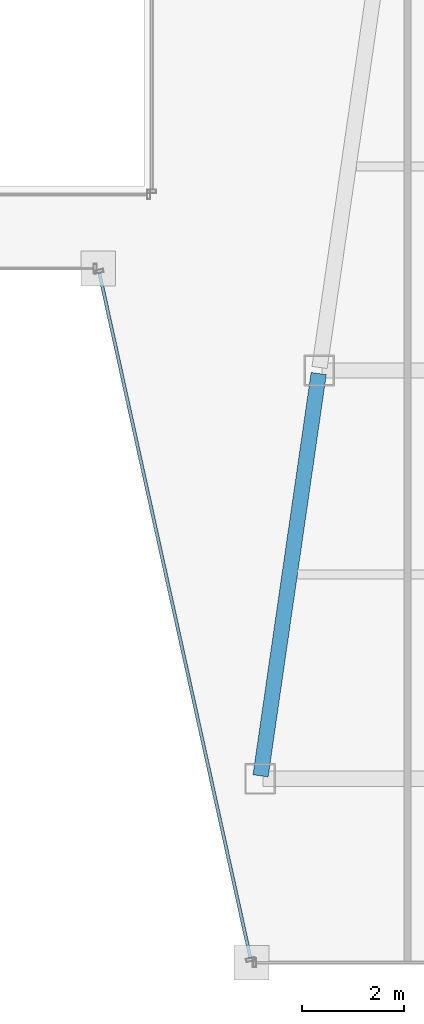
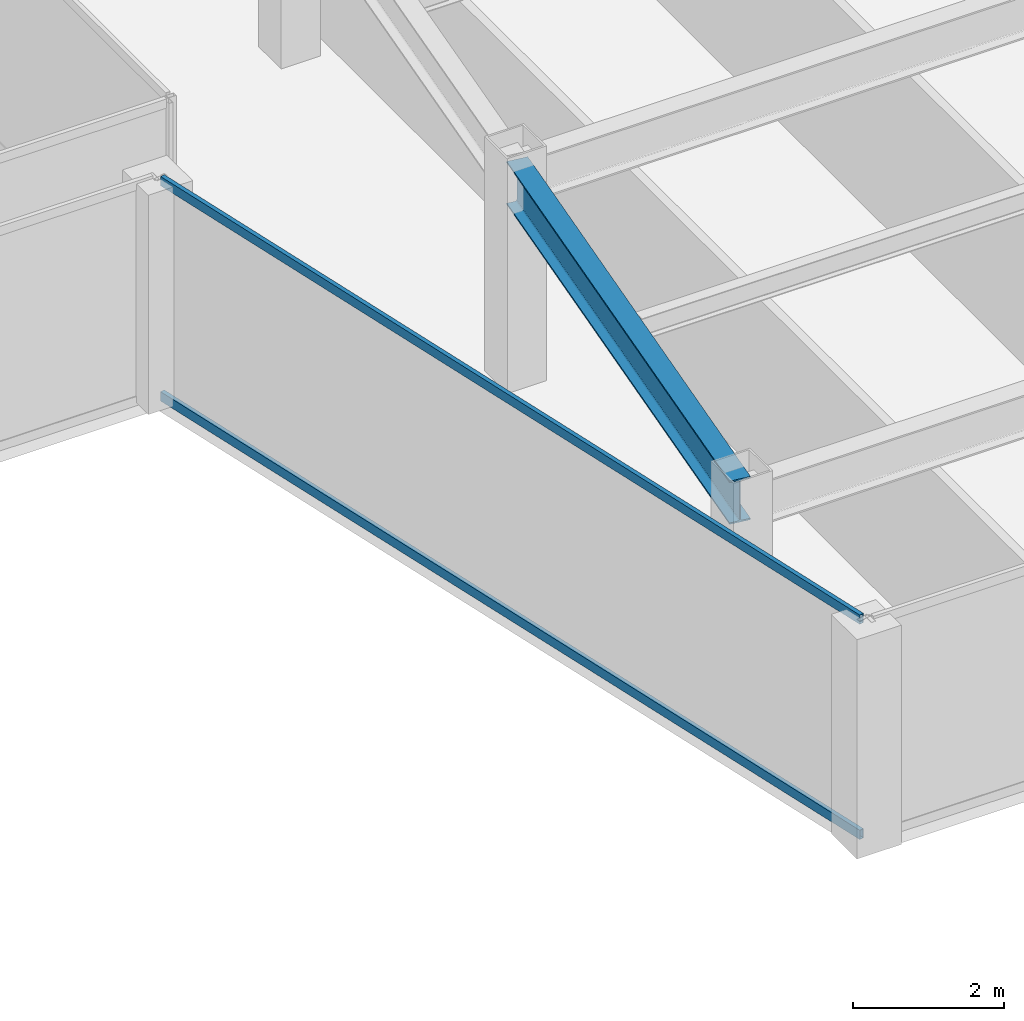
# One storey, part 16 of 35: 2 members, 1 beam, 1 element without a shape of its own.
"""IFC4 building model written with IfcOpenShell, lengths in metres."""

from ifc_helpers import new_model, si_unit, direction, frame, origin, origin_2d, place, context, subcontext, project, spatial, hollow_rectangle, i_section, extrude, material, material_profile, profile_set, type_object, element, aggregate, save


model = new_model("IFC4")

# Units and contexts
model_context = context("Model", 3, precision=1e-05, world=origin(), true_north=direction((0.0, 1.0)))
body_context = subcontext(model_context, "Body", "Model", "MODEL_VIEW")
ifc_project = project(units=[si_unit("LENGTHUNIT", "METRE"), si_unit("AREAUNIT", "SQUARE_METRE"), si_unit("VOLUMEUNIT", "CUBIC_METRE"), si_unit("PLANEANGLEUNIT", "RADIAN"), si_unit("MASSUNIT", "GRAM", prefix="KILO")], contexts=[model_context])

# Site, building, storey
site_placement = place(None, origin())
site = spatial("IfcSite", under=ifc_project, at=site_placement, CompositionType="ELEMENT")
building_placement = place(site_placement, origin())
building = spatial("IfcBuilding", under=site, at=building_placement, Name="Saevonmaru Cultural Tower", CompositionType="ELEMENT")
storey_placement = place(building_placement, frame((0.0, 0.0, 175.199951171875)))
storey = spatial("IfcBuildingStorey", under=building, at=storey_placement, Name="L39", CompositionType="ELEMENT", Elevation=175.199951171875)

# Beam
ifc_material_1 = material(Name="Steel SM355", Category="steel")
ifc_material_profile_1 = material_profile(ifc_material_1, i_section(OverallWidth=0.300048828125, OverallDepth=0.699951171875, WebThickness=0.012939453125, FlangeThickness=0.02392578125, FilletRadius=0.02587890625, at=origin_2d()), Name="H-700x300x13x24")
ifc_profile_set_1 = profile_set([ifc_material_profile_1], Name="Steel SM355")
beam_type = type_object("IfcBeamType", Name="BM-G-H700", PredefinedType="BEAM", material=ifc_profile_set_1)
beam_placement = place(storey_placement, frame((38.08056640625, 16.059326171875, 3.199951171875), z_axis=(0.143022161059, 0.989719486241, 0.0), x_axis=(-0.989719486241, 0.143022161059, 0.0)))
element("IfcBeam", 1, at=beam_placement, inside=storey, type_object=beam_type, Name="L39 East Atrium Girder 1", PredefinedType="BEAM", context=body_context, shape_type="SweptSolid", body=[
    extrude(i_section(OverallWidth=0.300048828125, OverallDepth=0.699951171875, WebThickness=0.012939453125, FlangeThickness=0.02392578125, FilletRadius=0.02587890625, at=origin_2d()), origin(), (0.0, 0.0, 1.0), 7.963134765625),
])

# Curtain wall, members
ifc_material_2 = material(Name="Satin Bronze Anodised Aluminium", Category="aluminium")
curtain_wall_type = type_object("IfcCurtainWallType", Name="CW-TYP-B", PredefinedType="NOTDEFINED", material=ifc_material_2)
curtain_wall_placement = place(storey_placement, origin())
curtain_wall = element("IfcCurtainWall", 2, at=curtain_wall_placement, inside=storey, type_object=curtain_wall_type, Name="L39 Unitised Curtain Wall E5", PredefinedType="NOTDEFINED")
ifc_material_profile_2 = material_profile(ifc_material_2, hollow_rectangle(XDim=0.06494140625, YDim=0.14990234375, WallThickness=0.00390625, at=origin_2d()), Name="ALU-TRAN-150x65x4")
ifc_profile_set_2 = profile_set([ifc_material_profile_2], Name="Satin Bronze Anodised Aluminium")
member_type = type_object("IfcMemberType", Name="TR-CW-150x65", PredefinedType="USERDEFINED", material=ifc_profile_set_2)
member_1_placement = place(storey_placement, frame((34.922119140625, 25.90966796875, 0.032470703125), z_axis=(0.21541214732, -0.976523223885, 0.0), x_axis=(0.976523223885, 0.21541214732, 0.0)))
member_1 = element("IfcMember", 3, at=member_1_placement, type_object=member_type, Name="CW-TW-L39-E5 transom 1.1", ObjectType="TRANSOM", PredefinedType="USERDEFINED", context=body_context, shape_type="SweptSolid", body=[
    extrude(hollow_rectangle(XDim=0.06494140625, YDim=0.14990234375, WallThickness=0.00390625, at=origin_2d()), origin(), (0.0, 0.0, 1.0), 13.741943359375),
])
member_2_placement = place(storey_placement, frame((34.922119140625, 25.90966796875, 3.517578125), z_axis=(0.21541214732, -0.976523223885, 0.0), x_axis=(0.976523223885, 0.21541214732, 0.0)))
member_2 = element("IfcMember", 4, at=member_2_placement, type_object=member_type, Name="CW-TW-L39-E5 transom 1.2", ObjectType="TRANSOM", PredefinedType="USERDEFINED", context=body_context, shape_type="SweptSolid", body=[
    extrude(hollow_rectangle(XDim=0.06494140625, YDim=0.14990234375, WallThickness=0.00390625, at=origin_2d()), origin(), (0.0, 0.0, 1.0), 13.741943359375),
])
aggregate(curtain_wall, [member_1, member_2])

save(model, "model.ifc")
